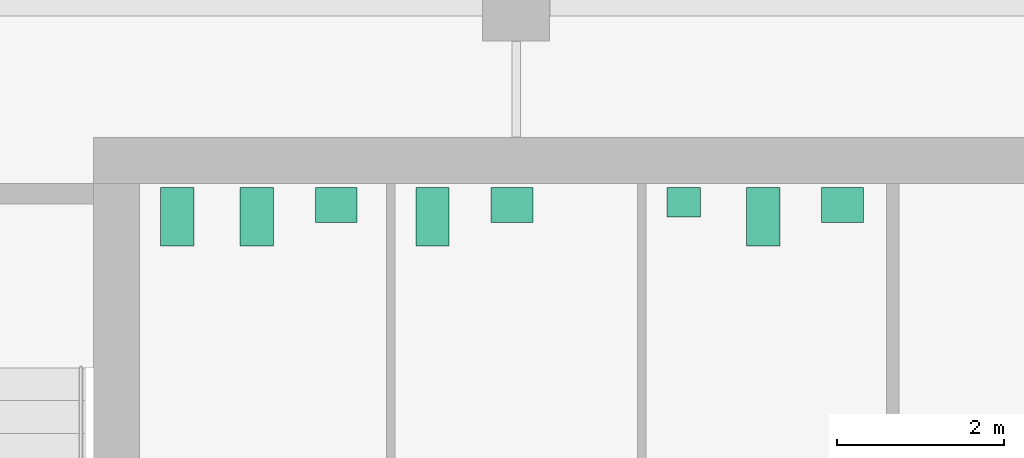
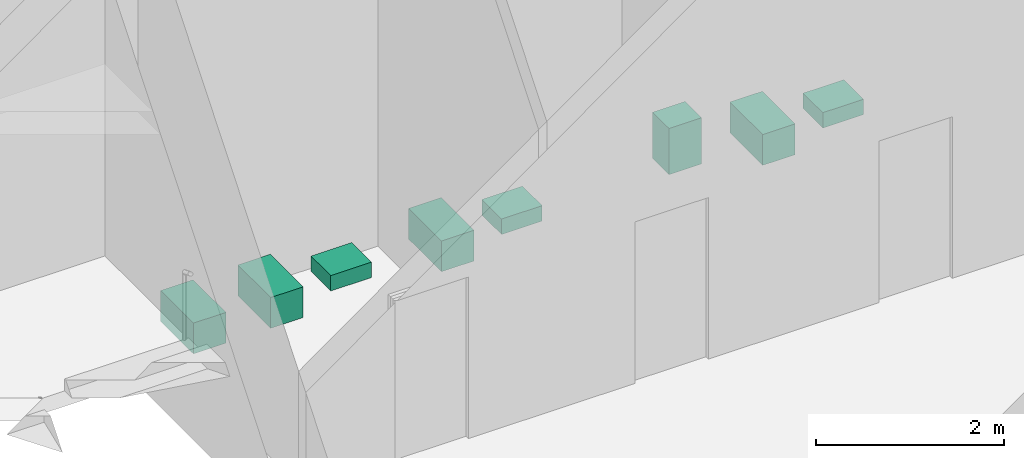
# One storey, part 7 of 8: 8 sanitary terminals.
"""IFC4 building model written with IfcOpenShell, lengths in metres."""

from ifc_helpers import new_model, si_unit, direction, frame, origin, origin_2d, place, context, subcontext, project, spatial, rectangle, extrude, material, type_object, element, save


model = new_model("IFC4")

# Units and contexts
model_context = context("Model", 3, precision=1e-05, world=origin(), true_north=direction((0.0, 1.0)))
body_context = subcontext(model_context, "Body", "Model", "MODEL_VIEW")
ifc_project = project(units=[si_unit("LENGTHUNIT", "METRE"), si_unit("AREAUNIT", "SQUARE_METRE"), si_unit("VOLUMEUNIT", "CUBIC_METRE"), si_unit("PLANEANGLEUNIT", "RADIAN"), si_unit("MASSUNIT", "GRAM", prefix="KILO")], contexts=[model_context])

# Site, building, storey
site_placement = place(None, origin())
site = spatial("IfcSite", under=ifc_project, at=site_placement, CompositionType="ELEMENT")
building_placement = place(site_placement, origin())
building = spatial("IfcBuilding", under=site, at=building_placement, Name="Cinnabar Reach Civic Tower", CompositionType="ELEMENT")
storey_placement = place(building_placement, frame((0.0, 0.0, 242.0)))
storey = spatial("IfcBuildingStorey", under=building, at=storey_placement, Name="L58", CompositionType="ELEMENT", Elevation=242.0)

# Sanitary terminals
ifc_material = material(Name="Vitreous china")
sanitary_terminal_type_1 = type_object("IfcSanitaryTerminalType", Name="T1 WC pan", PredefinedType="TOILETPAN", material=ifc_material)
for number, where, z_axis, x_axis, name in (
    (1, (4.95, 41.6, 0.0), (0.0, 0.0, 1.0), (1.0, 0.0, 0.0), "T1 WC pan 5808-1"),
    (2, (5.9, 41.6, 0.0), (0.0, 0.0, 1.0), (1.0, 0.0, 0.0), "T1 WC pan 5808-2"),
    (3, (8.0, 41.6, 0.0), (0.0, 0.0, 1.0), (1.0, 0.0, 0.0), "T1 WC pan 5809-1"),
    (4, (11.95, 41.6, 0.0), (0.0, 0.0, 1.0), (1.0, 0.0, 0.0), "T1 WC pan 5810-2"),
):
    element("IfcSanitaryTerminal", number, at=place(storey_placement, frame(where, z_axis=z_axis, x_axis=x_axis)), inside=storey, type_object=sanitary_terminal_type_1, Name=name, PredefinedType="TOILETPAN", context=body_context, shape_type="SweptSolid", body=[
        extrude(rectangle(XDim=0.4, YDim=0.7, at=origin_2d()), origin(), (0.0, 0.0, 1.0), 0.4),
    ])
sanitary_terminal_type_2 = type_object("IfcSanitaryTerminalType", Name="T1 urinal", PredefinedType="URINAL", material=ifc_material)
sanitary_terminal_placement = place(storey_placement, frame((11.0, 41.775, 0.0), z_axis=(0.0, 0.0, 1.0), x_axis=(1.0, 0.0, 0.0)))
element("IfcSanitaryTerminal", 5, at=sanitary_terminal_placement, inside=storey, type_object=sanitary_terminal_type_2, Name="T1 urinal 5810-1", PredefinedType="URINAL", context=body_context, shape_type="SweptSolid", body=[
    extrude(rectangle(XDim=0.4, YDim=0.35, at=origin_2d()), origin(), (0.0, 0.0, 1.0), 0.6),
])
sanitary_terminal_type_3 = type_object("IfcSanitaryTerminalType", Name="T1 wash basin", PredefinedType="WASHHANDBASIN", material=ifc_material)
for number, where, z_axis, x_axis, name in (
    (6, (6.85, 41.74, 0.0), (0.0, 0.0, 1.0), (1.0, 0.0, 0.0), "T1 wash basin 5808-3"),
    (7, (8.95, 41.74, 0.0), (0.0, 0.0, 1.0), (1.0, 0.0, 0.0), "T1 wash basin 5809-2"),
    (8, (12.9, 41.74, 0.0), (0.0, 0.0, 1.0), (1.0, 0.0, 0.0), "T1 wash basin 5810-3"),
):
    element("IfcSanitaryTerminal", number, at=place(storey_placement, frame(where, z_axis=z_axis, x_axis=x_axis)), inside=storey, type_object=sanitary_terminal_type_3, Name=name, PredefinedType="WASHHANDBASIN", context=body_context, shape_type="SweptSolid", body=[
        extrude(rectangle(XDim=0.5, YDim=0.42, at=origin_2d()), origin(), (0.0, 0.0, 1.0), 0.2),
    ])

save(model, "model.ifc")
